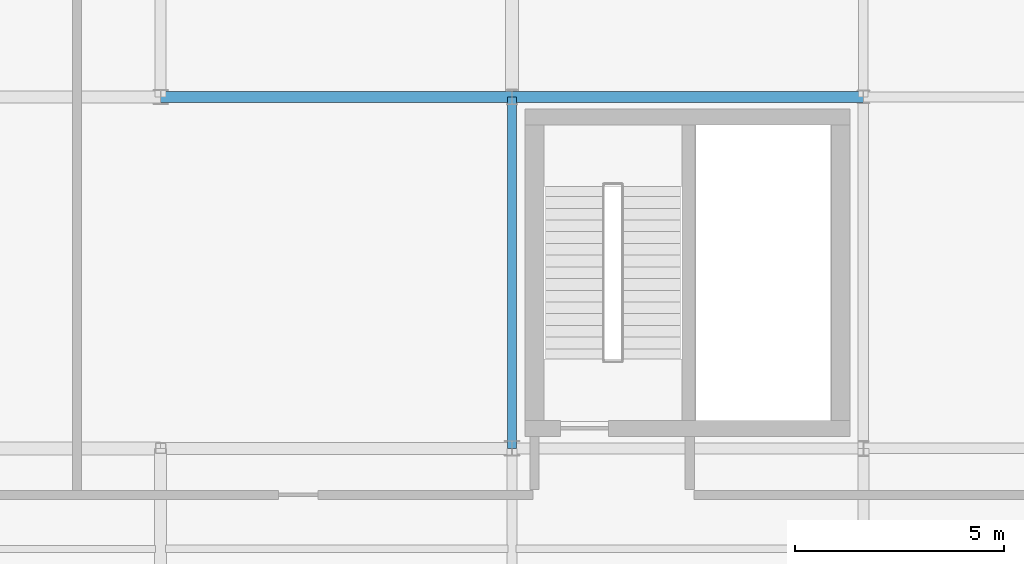
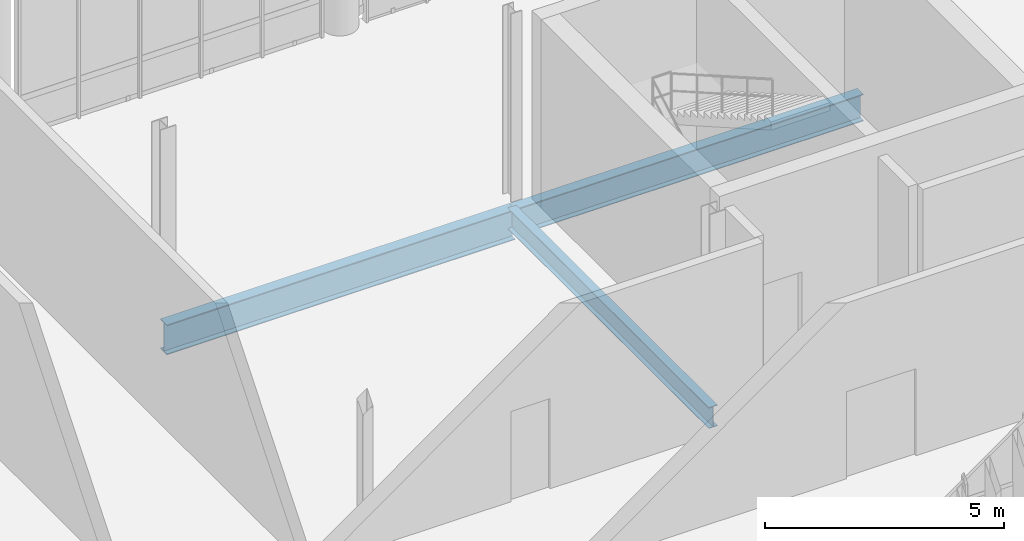
# One storey, part 39 of 94: 3 beams.
"""IFC4 building model written with IfcOpenShell, lengths in metres."""

from ifc_helpers import new_model, si_unit, direction, frame, origin_with_axes, origin_2d_with_axis, place, context, subcontext, project, spatial, i_section, extrude, material, material_profile, profile_set, type_object, element, save


model = new_model("IFC4")

# Units and contexts
model_context = context("Model", 3, precision=1e-05, world=origin_with_axes(), true_north=direction((0.0, 1.0)))
body_context = subcontext(model_context, "Body", "Model", "MODEL_VIEW")
ifc_project = project(units=[si_unit("LENGTHUNIT", "METRE"), si_unit("AREAUNIT", "SQUARE_METRE"), si_unit("VOLUMEUNIT", "CUBIC_METRE"), si_unit("PLANEANGLEUNIT", "RADIAN"), si_unit("MASSUNIT", "GRAM", prefix="KILO"), si_unit("THERMODYNAMICTEMPERATUREUNIT", "KELVIN")], contexts=[model_context])

# Site, building, storey
site_placement = place(None, origin_with_axes())
site = spatial("IfcSite", under=ifc_project, at=site_placement, CompositionType="ELEMENT")
building_placement = place(site_placement, origin_with_axes())
building = spatial("IfcBuilding", under=site, at=building_placement, Name="Montbau Bow Law Courts", CompositionType="ELEMENT")
storey_placement = place(building_placement, frame((0.0, 0.0, 15.6), z_axis=(0.0, 0.0, 1.0), x_axis=(1.0, 0.0, 0.0)))
storey = spatial("IfcBuildingStorey", under=building, at=storey_placement, Name="L03", CompositionType="ELEMENT", Elevation=15.6)

# Beams
ifc_material = material(Name="Steel CSA G40.21 Grade 350W (350 MPa)", Category="steel")
ifc_material_profile_1 = material_profile(ifc_material, i_section(OverallWidth=0.267, OverallDepth=0.766, WebThickness=0.0149, FlangeThickness=0.0236, at=origin_2d_with_axis()), Name="W760X185", Category="Main", Priority=0)
ifc_profile_set_1 = profile_set([ifc_material_profile_1], Name="Steel CSA G40.21 Grade 350W (350 MPa)")
beam_type_1 = type_object("IfcBeamType", Name="B-FLR-03", PredefinedType="BEAM", material=ifc_profile_set_1)
beam_1_placement = place(None, frame((72.0, 54.6, 14.957), z_axis=(1.0, 0.0, 0.0), x_axis=(0.0, 1.0, 0.0)))
element("IfcBeam", 1, at=beam_1_placement, inside=storey, type_object=beam_type_1, Name="BM-L03-S0889:bm2_0892", PredefinedType="BEAM", context=body_context, shape_type="SweptSolid", body=[
    extrude(i_section(OverallWidth=0.267, OverallDepth=0.766, WebThickness=0.0149, FlangeThickness=0.0236, at=origin_2d_with_axis()), origin_with_axes(), (0.0, 0.0, 1.0), 8.4),
])
ifc_material_profile_2 = material_profile(ifc_material, i_section(OverallWidth=0.254, OverallDepth=0.688, WebThickness=0.0131, FlangeThickness=0.0211, at=origin_2d_with_axis()), Name="W690X152", Category="Main", Priority=0)
ifc_profile_set_2 = profile_set([ifc_material_profile_2], Name="Steel CSA G40.21 Grade 350W (350 MPa)")
beam_type_2 = type_object("IfcBeamType", Name="B-FLR-04", PredefinedType="BEAM", material=ifc_profile_set_2)
beam_2_placement = place(None, frame((80.4, 54.6, 14.996), z_axis=(1.0, 0.0, 0.0), x_axis=(0.0, 1.0, 0.0)))
element("IfcBeam", 2, at=beam_2_placement, inside=storey, type_object=beam_type_2, Name="BM-L03-S0890:bm2_0893", PredefinedType="BEAM", context=body_context, shape_type="SweptSolid", body=[
    extrude(i_section(OverallWidth=0.254, OverallDepth=0.688, WebThickness=0.0131, FlangeThickness=0.0211, at=origin_2d_with_axis()), origin_with_axes(), (0.0, 0.0, 1.0), 8.4),
])
ifc_material_profile_3 = material_profile(ifc_material, i_section(OverallWidth=0.21, OverallDepth=0.537, WebThickness=0.0109, FlangeThickness=0.0174, at=origin_2d_with_axis()), Name="W530X101", Category="Main", Priority=0)
ifc_profile_set_3 = profile_set([ifc_material_profile_3], Name="Steel CSA G40.21 Grade 350W (350 MPa)")
beam_type_3 = type_object("IfcBeamType", Name="B-FLR-06", PredefinedType="BEAM", material=ifc_profile_set_3)
beam_3_placement = place(None, frame((80.4, 46.2, 15.072), z_axis=(0.0, 1.0, 0.0), x_axis=(-1.0, 0.0, 0.0)))
element("IfcBeam", 3, at=beam_3_placement, inside=storey, type_object=beam_type_3, Name="BM-L03-S0908:bm2_0911", PredefinedType="BEAM", context=body_context, shape_type="SweptSolid", body=[
    extrude(i_section(OverallWidth=0.21, OverallDepth=0.537, WebThickness=0.0109, FlangeThickness=0.0174, at=origin_2d_with_axis()), origin_with_axes(), (0.0, 0.0, 1.0), 8.4),
])

save(model, "model.ifc")
